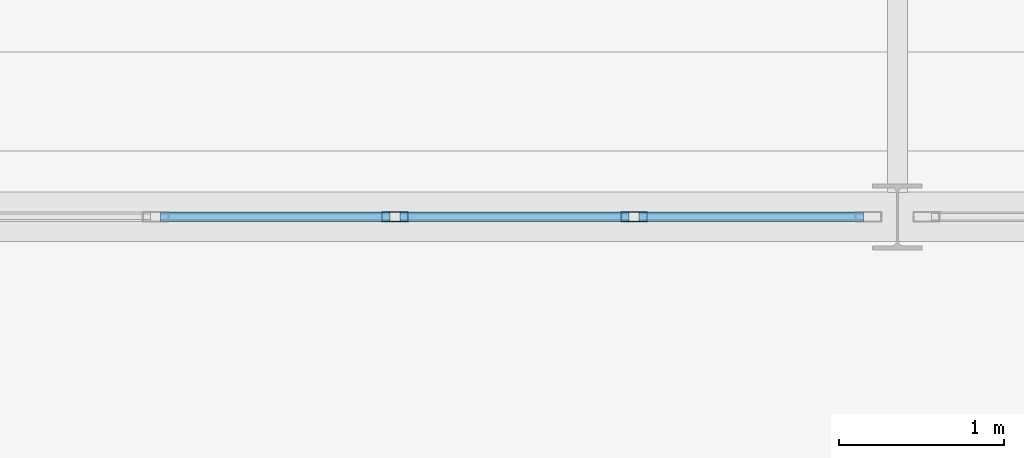
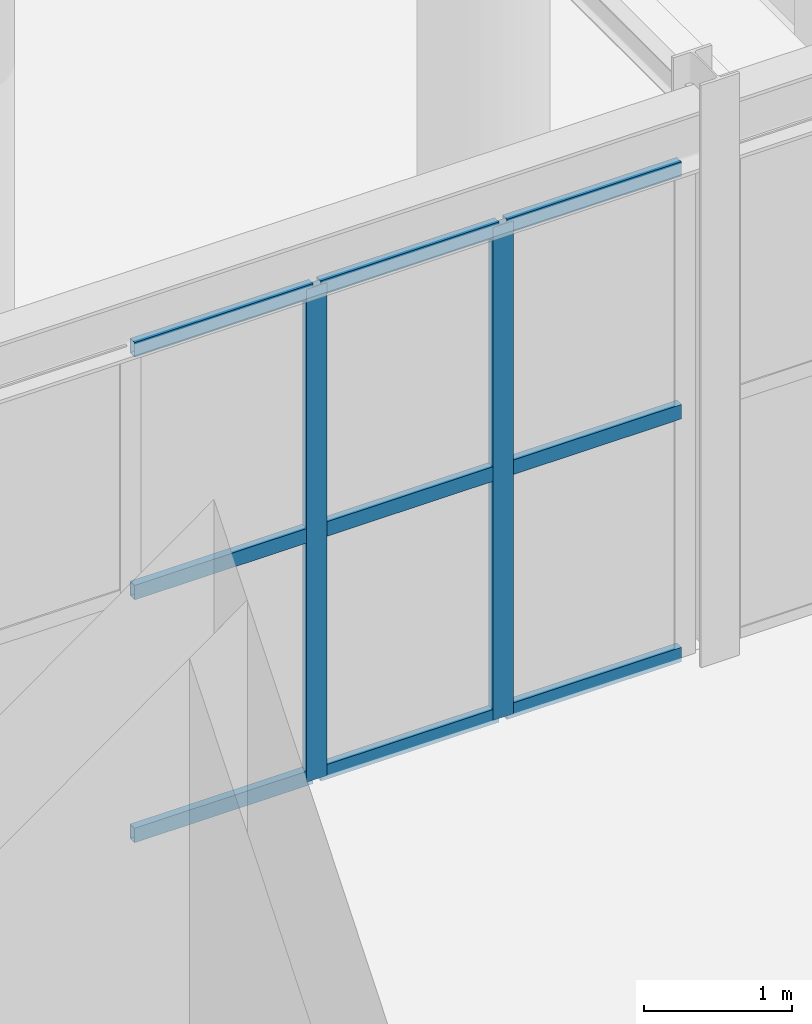
# One storey, part 3 of 29: 11 members, 1 element without a shape of its own.
"""IFC4 building model written with IfcOpenShell, lengths in metres."""

from ifc_helpers import new_model, si_unit, direction, frame, origin, origin_2d, place, context, subcontext, project, spatial, hollow_rectangle, extrude, material, layer, layer_set, material_profile, profile_set, type_object, element, aggregate, save


model = new_model("IFC4")

# Units and contexts
model_context = context("Model", 3, precision=1e-05, world=origin(), true_north=direction((0.0, 1.0)))
body_context = subcontext(model_context, "Body", "Model", "MODEL_VIEW")
ifc_project = project(units=[si_unit("LENGTHUNIT", "METRE"), si_unit("AREAUNIT", "SQUARE_METRE"), si_unit("VOLUMEUNIT", "CUBIC_METRE"), si_unit("PLANEANGLEUNIT", "RADIAN"), si_unit("MASSUNIT", "GRAM", prefix="KILO")], contexts=[model_context])

# Site, building, storey
site_placement = place(None, origin())
site = spatial("IfcSite", under=ifc_project, at=site_placement, CompositionType="ELEMENT")
building_placement = place(site_placement, origin())
building = spatial("IfcBuilding", under=site, at=building_placement, Name="Dornveld Trade and Exhibition Forum", CompositionType="ELEMENT")
storey_placement = place(building_placement, frame((0.0, 0.0, 21.60009765625)))
storey = spatial("IfcBuildingStorey", under=building, at=storey_placement, Name="L04", CompositionType="ELEMENT", Elevation=21.60009765625)

# Curtain wall, members
ifc_material_1 = material(Name="Dark-bronze anodised aluminium and low-E glass", Category="aluminium")
ifc_layer = layer(ifc_material_1, 0.193115234375)
ifc_layer_set = layer_set([ifc_layer], Name="Dark-bronze anodised aluminium and low-E glass")
curtain_wall_type = type_object("IfcCurtainWallType", Name="CW-SYS-17", PredefinedType="USERDEFINED", material=ifc_layer_set)
curtain_wall_placement = place(storey_placement, origin())
curtain_wall = element("IfcCurtainWall", 1, at=curtain_wall_placement, inside=storey, type_object=curtain_wall_type, Name="L04 unitised curtain wall 125", ObjectType="UNITISED_CURTAIN_WALL", PredefinedType="USERDEFINED")
ifc_material_2 = material(Name="Dark-bronze anodised aluminium", Category="aluminium")
ifc_material_profile_1 = material_profile(ifc_material_2, hollow_rectangle(XDim=0.06005859375, YDim=0.159912109375, WallThickness=0.00390625, at=origin_2d()), Name="RHS 160x60x4")
ifc_profile_set_1 = profile_set([ifc_material_profile_1], Name="Dark-bronze anodised aluminium")
member_type_1 = type_object("IfcMemberType", Name="CW-MUL-160", PredefinedType="MULLION", material=ifc_profile_set_1)
member_1_placement = place(storey_placement, frame((113.951416015625, 63.0, -0.004150390625), z_axis=(0.0, 0.0, 1.0), x_axis=(0.0, 1.0, 0.0)))
member_1 = element("IfcMember", 2, at=member_1_placement, type_object=member_type_1, Name="CW-17 mullion 5", PredefinedType="MULLION", context=body_context, shape_type="SweptSolid", body=[
    extrude(hollow_rectangle(XDim=0.06005859375, YDim=0.159912109375, WallThickness=0.00390625, at=origin_2d()), origin(), (0.0, 0.0, 1.0), 4.06396484375),
])
member_2_placement = place(storey_placement, frame((115.402587890625, 63.0, -0.004150390625), z_axis=(0.0, 0.0, 1.0), x_axis=(0.0, 1.0, 0.0)))
member_2 = element("IfcMember", 3, at=member_2_placement, type_object=member_type_1, Name="CW-17 mullion 6", PredefinedType="MULLION", context=body_context, shape_type="SweptSolid", body=[
    extrude(hollow_rectangle(XDim=0.06005859375, YDim=0.159912109375, WallThickness=0.00390625, at=origin_2d()), origin(), (0.0, 0.0, 1.0), 4.06396484375),
])
ifc_material_3 = material(Name="Dark-bronze anodised aluminium", Category="aluminium")
ifc_material_profile_2 = material_profile(ifc_material_3, hollow_rectangle(XDim=0.06005859375, YDim=0.1201171875, WallThickness=0.00390625, at=origin_2d()), Name="RHS 120x60x4")
ifc_profile_set_2 = profile_set([ifc_material_profile_2], Name="Dark-bronze anodised aluminium")
member_type_2 = type_object("IfcMemberType", Name="CW-TRN-120", PredefinedType="USERDEFINED", material=ifc_profile_set_2)
member_3_placement = place(storey_placement, frame((112.530029296875, 63.0, 0.02587890625), z_axis=(1.0, 0.0, 0.0), x_axis=(0.0, 1.0, 0.0)))
member_3 = element("IfcMember", 4, at=member_3_placement, type_object=member_type_2, Name="CW-17 transom 4.1", ObjectType="TRANSOM", PredefinedType="USERDEFINED", context=body_context, shape_type="SweptSolid", body=[
    extrude(hollow_rectangle(XDim=0.06005859375, YDim=0.1201171875, WallThickness=0.00390625, at=origin_2d()), origin(), (0.0, 0.0, 1.0), 1.391357421875),
])
member_4_placement = place(storey_placement, frame((112.530029296875, 63.0, 2.02783203125), z_axis=(1.0, 0.0, 0.0), x_axis=(0.0, 1.0, 0.0)))
member_4 = element("IfcMember", 5, at=member_4_placement, type_object=member_type_2, Name="CW-17 transom 4.2", ObjectType="TRANSOM", PredefinedType="USERDEFINED", context=body_context, shape_type="SweptSolid", body=[
    extrude(hollow_rectangle(XDim=0.06005859375, YDim=0.1201171875, WallThickness=0.00390625, at=origin_2d()), origin(), (0.0, 0.0, 1.0), 1.391357421875),
])
member_5_placement = place(storey_placement, frame((112.530029296875, 63.0, 4.02978515625), z_axis=(1.0, 0.0, 0.0), x_axis=(0.0, 1.0, 0.0)))
member_5 = element("IfcMember", 6, at=member_5_placement, type_object=member_type_2, Name="CW-17 transom 4.3", ObjectType="TRANSOM", PredefinedType="USERDEFINED", context=body_context, shape_type="SweptSolid", body=[
    extrude(hollow_rectangle(XDim=0.06005859375, YDim=0.1201171875, WallThickness=0.00390625, at=origin_2d()), origin(), (0.0, 0.0, 1.0), 1.391357421875),
])
member_6_placement = place(storey_placement, frame((113.9814453125, 63.0, 0.02587890625), z_axis=(1.0, 0.0, 0.0), x_axis=(0.0, 1.0, 0.0)))
member_6 = element("IfcMember", 7, at=member_6_placement, type_object=member_type_2, Name="CW-17 transom 5.1", ObjectType="TRANSOM", PredefinedType="USERDEFINED", context=body_context, shape_type="SweptSolid", body=[
    extrude(hollow_rectangle(XDim=0.06005859375, YDim=0.1201171875, WallThickness=0.00390625, at=origin_2d()), origin(), (0.0, 0.0, 1.0), 1.39111328125),
])
member_7_placement = place(storey_placement, frame((113.9814453125, 63.0, 2.02783203125), z_axis=(1.0, 0.0, 0.0), x_axis=(0.0, 1.0, 0.0)))
member_7 = element("IfcMember", 8, at=member_7_placement, type_object=member_type_2, Name="CW-17 transom 5.2", ObjectType="TRANSOM", PredefinedType="USERDEFINED", context=body_context, shape_type="SweptSolid", body=[
    extrude(hollow_rectangle(XDim=0.06005859375, YDim=0.1201171875, WallThickness=0.00390625, at=origin_2d()), origin(), (0.0, 0.0, 1.0), 1.39111328125),
])
member_8_placement = place(storey_placement, frame((113.9814453125, 63.0, 4.02978515625), z_axis=(1.0, 0.0, 0.0), x_axis=(0.0, 1.0, 0.0)))
member_8 = element("IfcMember", 9, at=member_8_placement, type_object=member_type_2, Name="CW-17 transom 5.3", ObjectType="TRANSOM", PredefinedType="USERDEFINED", context=body_context, shape_type="SweptSolid", body=[
    extrude(hollow_rectangle(XDim=0.06005859375, YDim=0.1201171875, WallThickness=0.00390625, at=origin_2d()), origin(), (0.0, 0.0, 1.0), 1.39111328125),
])
member_9_placement = place(storey_placement, frame((115.4326171875, 63.0, 0.02587890625), z_axis=(1.0, 0.0, 0.0), x_axis=(0.0, 1.0, 0.0)))
member_9 = element("IfcMember", 10, at=member_9_placement, type_object=member_type_2, Name="CW-17 transom 6.1", ObjectType="TRANSOM", PredefinedType="USERDEFINED", context=body_context, shape_type="SweptSolid", body=[
    extrude(hollow_rectangle(XDim=0.06005859375, YDim=0.1201171875, WallThickness=0.00390625, at=origin_2d()), origin(), (0.0, 0.0, 1.0), 1.361328125),
])
member_10_placement = place(storey_placement, frame((115.4326171875, 63.0, 2.02783203125), z_axis=(1.0, 0.0, 0.0), x_axis=(0.0, 1.0, 0.0)))
member_10 = element("IfcMember", 11, at=member_10_placement, type_object=member_type_2, Name="CW-17 transom 6.2", ObjectType="TRANSOM", PredefinedType="USERDEFINED", context=body_context, shape_type="SweptSolid", body=[
    extrude(hollow_rectangle(XDim=0.06005859375, YDim=0.1201171875, WallThickness=0.00390625, at=origin_2d()), origin(), (0.0, 0.0, 1.0), 1.361328125),
])
member_11_placement = place(storey_placement, frame((115.4326171875, 63.0, 4.02978515625), z_axis=(1.0, 0.0, 0.0), x_axis=(0.0, 1.0, 0.0)))
member_11 = element("IfcMember", 12, at=member_11_placement, type_object=member_type_2, Name="CW-17 transom 6.3", ObjectType="TRANSOM", PredefinedType="USERDEFINED", context=body_context, shape_type="SweptSolid", body=[
    extrude(hollow_rectangle(XDim=0.06005859375, YDim=0.1201171875, WallThickness=0.00390625, at=origin_2d()), origin(), (0.0, 0.0, 1.0), 1.361328125),
])
aggregate(curtain_wall, [member_1, member_2, member_3, member_4, member_5, member_6, member_7, member_8, member_9, member_10, member_11])

save(model, "model.ifc")
